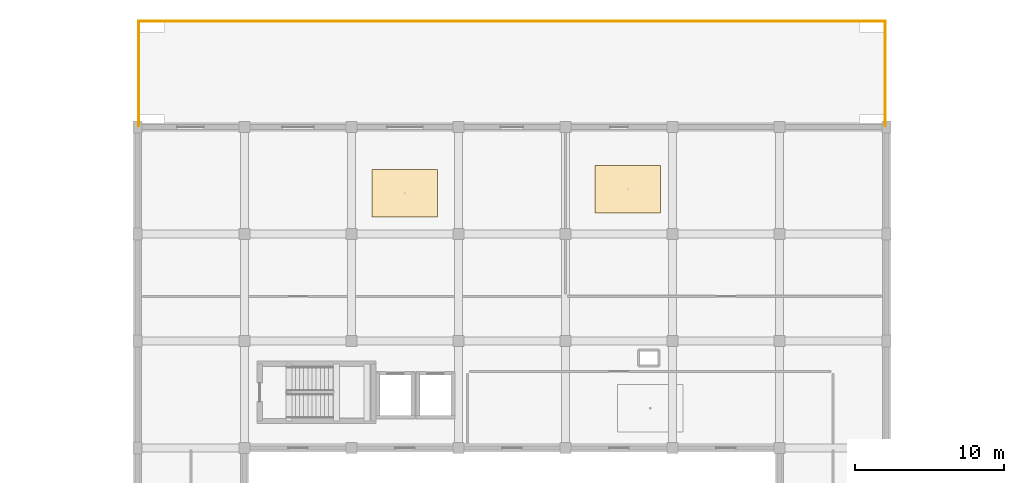
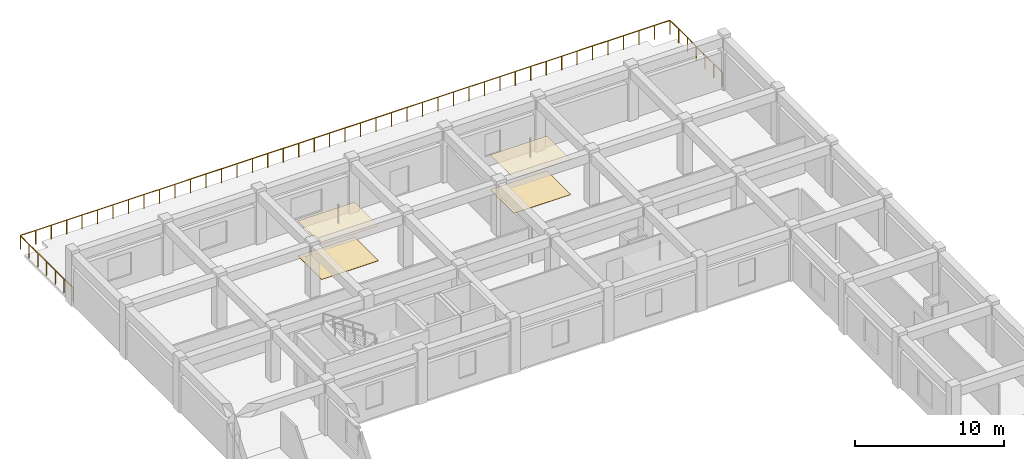
# One storey, part 56 of 56: 4 coverings, 3 railings.
"""IFC4 building model written with IfcOpenShell, lengths in metres."""

from ifc_helpers import new_model, si_unit, direction, frame, origin, origin_2d, place, context, subcontext, project, spatial, rectangle, circle, extrude, material, layer, layer_set, type_object, element, save


model = new_model("IFC4")

# Units and contexts
model_context = context("Model", 3, precision=1e-05, world=origin(), true_north=direction((0.0, 1.0)))
body_context = subcontext(model_context, "Body", "Model", "MODEL_VIEW")
ifc_project = project(units=[si_unit("LENGTHUNIT", "METRE"), si_unit("AREAUNIT", "SQUARE_METRE"), si_unit("VOLUMEUNIT", "CUBIC_METRE"), si_unit("PLANEANGLEUNIT", "RADIAN"), si_unit("MASSUNIT", "GRAM", prefix="KILO")], contexts=[model_context])

# Site, building, storey
site_placement = place(None, origin())
site = spatial("IfcSite", under=ifc_project, at=site_placement, CompositionType="ELEMENT")
building_placement = place(site_placement, origin())
building = spatial("IfcBuilding", under=site, at=building_placement, Name="Kazehaya Institute of Natural Sciences", CompositionType="ELEMENT")
storey_placement = place(building_placement, frame((0.0, 0.0, 24.300048828125)))
storey = spatial("IfcBuildingStorey", under=building, at=storey_placement, Name="L05", CompositionType="ELEMENT", Elevation=24.300048828125)

# Coverings
ifc_material_1 = material(Name="Mineral-fibre acoustic ceiling tile")
ifc_layer_1 = layer(ifc_material_1, 0.02490234375, Name="Mineral-fibre acoustic ceiling tile")
ifc_layer_set_1 = layer_set([ifc_layer_1], Name="Mineral-fibre acoustic ceiling tile")
covering_type_1 = type_object("IfcCoveringType", Name="COV-CEIL-AC", PredefinedType="CEILING", material=ifc_layer_set_1)
for number, where, z_axis, x_axis, name in (
    (1, (79.77978515625, 103.1484375, 2.847412109375), (0.0, 0.0, 1.0), (1.0, 0.0, 0.0), "L05 Quantum Simulation Laboratory ceiling 53"),
    (2, (94.796142578125, 103.40380859375, 2.847412109375), (0.0, 0.0, 1.0), (1.0, 0.0, 0.0), "L05 Seminar Room ceiling 54"),
):
    element("IfcCovering", number, at=place(storey_placement, frame(where, z_axis=z_axis, x_axis=x_axis)), inside=storey, type_object=covering_type_1, Name=name, PredefinedType="CEILING", context=body_context, shape_type="SweptSolid", body=[
        extrude(rectangle(XDim=4.39990234375, YDim=3.199951171875, at=origin_2d()), origin(), (0.0, 0.0, 1.0), 0.02490234375),
    ])
ifc_material_2 = material(Name="Polished Sawara stone terrazzo flooring", Category="masonry")
ifc_layer_2 = layer(ifc_material_2, 0.02001953125, Name="Polished Sawara stone terrazzo flooring", Category="masonry")
ifc_layer_set_2 = layer_set([ifc_layer_2], Name="Polished Sawara stone terrazzo flooring")
covering_type_2 = type_object("IfcCoveringType", Name="COV-FLR-TRZ", PredefinedType="FLOORING", material=ifc_layer_set_2)
for number, where, z_axis, x_axis, name in (
    (3, (79.77978515625, 103.1484375, 0.0), (0.0, 0.0, 1.0), (1.0, 0.0, 0.0), "L05 Quantum Simulation Laboratory finish flooring 53"),
    (4, (94.796142578125, 103.40380859375, 0.0), (0.0, 0.0, 1.0), (1.0, 0.0, 0.0), "L05 Seminar Room finish flooring 54"),
):
    element("IfcCovering", number, at=place(storey_placement, frame(where, z_axis=z_axis, x_axis=x_axis)), inside=storey, type_object=covering_type_2, Name=name, PredefinedType="FLOORING", context=body_context, shape_type="SweptSolid", body=[
        extrude(rectangle(XDim=4.39990234375, YDim=3.199951171875, at=origin_2d()), origin(), (0.0, 0.0, 1.0), 0.02001953125),
    ])

# Railings
ifc_material_3 = material(Name="Precast limestone and bronze balustrade", Category="masonry")
railing_type = type_object("IfcRailingType", Name="RL-GUARD-TER", PredefinedType="BALUSTRADE", material=ifc_material_3)
railing_1_placement = place(storey_placement, frame((112.1201171875, 114.719970703125, 0.0)))
element("IfcRailing", 5, at=railing_1_placement, inside=storey, type_object=railing_type, Name="L05 terrace balustrade GRD-L05-016", PredefinedType="BALUSTRADE", context=body_context, shape_type="SweptSolid", body=[
    extrude(circle(Radius=0.02392578125, at=origin_2d()), frame((0.0, 0.0, 1.1259765625), z_axis=(-1.0, 0.0, 0.0), x_axis=(0.0, -1.0, 0.0)), (0.0, 0.0, 1.0), 50.240234375),
    extrude(circle(Radius=0.02099609375, at=origin_2d()), origin(), (0.0, 0.0, 1.0), 1.101806640625),
    extrude(circle(Radius=0.02099609375, at=origin_2d()), frame((-1.1962890625, 0.0, 0.0)), (0.0, 0.0, 1.0), 1.101806640625),
    extrude(circle(Radius=0.02099609375, at=origin_2d()), frame((-2.392333984375, 0.0, 0.0)), (0.0, 0.0, 1.0), 1.101806640625),
    extrude(circle(Radius=0.02099609375, at=origin_2d()), frame((-3.588623046875, 0.0, 0.0)), (0.0, 0.0, 1.0), 1.101806640625),
    extrude(circle(Radius=0.02099609375, at=origin_2d()), frame((-4.78466796875, 0.0, 0.0)), (0.0, 0.0, 1.0), 1.101806640625),
    extrude(circle(Radius=0.02099609375, at=origin_2d()), frame((-5.98095703125, 0.0, 0.0)), (0.0, 0.0, 1.0), 1.101806640625),
    extrude(circle(Radius=0.02099609375, at=origin_2d()), frame((-7.17724609375, 0.0, 0.0)), (0.0, 0.0, 1.0), 1.101806640625),
    extrude(circle(Radius=0.02099609375, at=origin_2d()), frame((-8.373291015625, 0.0, 0.0)), (0.0, 0.0, 1.0), 1.101806640625),
    extrude(circle(Radius=0.02099609375, at=origin_2d()), frame((-9.569580078125, 0.0, 0.0)), (0.0, 0.0, 1.0), 1.101806640625),
    extrude(circle(Radius=0.02099609375, at=origin_2d()), frame((-10.765869140625, 0.0, 0.0)), (0.0, 0.0, 1.0), 1.101806640625),
    extrude(circle(Radius=0.02099609375, at=origin_2d()), frame((-11.9619140625, 0.0, 0.0)), (0.0, 0.0, 1.0), 1.101806640625),
    extrude(circle(Radius=0.02099609375, at=origin_2d()), frame((-13.158203125, 0.0, 0.0)), (0.0, 0.0, 1.0), 1.101806640625),
    extrude(circle(Radius=0.02099609375, at=origin_2d()), frame((-14.354248046875, 0.0, 0.0)), (0.0, 0.0, 1.0), 1.101806640625),
    extrude(circle(Radius=0.02099609375, at=origin_2d()), frame((-15.550537109375, 0.0, 0.0)), (0.0, 0.0, 1.0), 1.101806640625),
    extrude(circle(Radius=0.02099609375, at=origin_2d()), frame((-16.746826171875, 0.0, 0.0)), (0.0, 0.0, 1.0), 1.101806640625),
    extrude(circle(Radius=0.02099609375, at=origin_2d()), frame((-17.94287109375, 0.0, 0.0)), (0.0, 0.0, 1.0), 1.101806640625),
    extrude(circle(Radius=0.02099609375, at=origin_2d()), frame((-19.13916015625, 0.0, 0.0)), (0.0, 0.0, 1.0), 1.101806640625),
    extrude(circle(Radius=0.02099609375, at=origin_2d()), frame((-20.33544921875, 0.0, 0.0)), (0.0, 0.0, 1.0), 1.101806640625),
    extrude(circle(Radius=0.02099609375, at=origin_2d()), frame((-21.531494140625, 0.0, 0.0)), (0.0, 0.0, 1.0), 1.101806640625),
    extrude(circle(Radius=0.02099609375, at=origin_2d()), frame((-22.727783203125, 0.0, 0.0)), (0.0, 0.0, 1.0), 1.101806640625),
    extrude(circle(Radius=0.02099609375, at=origin_2d()), frame((-23.923828125, 0.0, 0.0)), (0.0, 0.0, 1.0), 1.101806640625),
    extrude(circle(Radius=0.02099609375, at=origin_2d()), frame((-25.1201171875, 0.0, 0.0)), (0.0, 0.0, 1.0), 1.101806640625),
    extrude(circle(Radius=0.02099609375, at=origin_2d()), frame((-26.31640625, 0.0, 0.0)), (0.0, 0.0, 1.0), 1.101806640625),
    extrude(circle(Radius=0.02099609375, at=origin_2d()), frame((-27.512451171875, 0.0, 0.0)), (0.0, 0.0, 1.0), 1.101806640625),
    extrude(circle(Radius=0.02099609375, at=origin_2d()), frame((-28.708740234375, 0.0, 0.0)), (0.0, 0.0, 1.0), 1.101806640625),
    extrude(circle(Radius=0.02099609375, at=origin_2d()), frame((-29.90478515625, 0.0, 0.0)), (0.0, 0.0, 1.0), 1.101806640625),
    extrude(circle(Radius=0.02099609375, at=origin_2d()), frame((-31.10107421875, 0.0, 0.0)), (0.0, 0.0, 1.0), 1.101806640625),
    extrude(circle(Radius=0.02099609375, at=origin_2d()), frame((-32.29736328125, 0.0, 0.0)), (0.0, 0.0, 1.0), 1.101806640625),
    extrude(circle(Radius=0.02099609375, at=origin_2d()), frame((-33.493408203125, 0.0, 0.0)), (0.0, 0.0, 1.0), 1.101806640625),
    extrude(circle(Radius=0.02099609375, at=origin_2d()), frame((-34.689697265625, 0.0, 0.0)), (0.0, 0.0, 1.0), 1.101806640625),
    extrude(circle(Radius=0.02099609375, at=origin_2d()), frame((-35.885986328125, 0.0, 0.0)), (0.0, 0.0, 1.0), 1.101806640625),
    extrude(circle(Radius=0.02099609375, at=origin_2d()), frame((-37.08203125, 0.0, 0.0)), (0.0, 0.0, 1.0), 1.101806640625),
    extrude(circle(Radius=0.02099609375, at=origin_2d()), frame((-38.2783203125, 0.0, 0.0)), (0.0, 0.0, 1.0), 1.101806640625),
    extrude(circle(Radius=0.02099609375, at=origin_2d()), frame((-39.474365234375, 0.0, 0.0)), (0.0, 0.0, 1.0), 1.101806640625),
    extrude(circle(Radius=0.02099609375, at=origin_2d()), frame((-40.670654296875, 0.0, 0.0)), (0.0, 0.0, 1.0), 1.101806640625),
    extrude(circle(Radius=0.02099609375, at=origin_2d()), frame((-41.866943359375, 0.0, 0.0)), (0.0, 0.0, 1.0), 1.101806640625),
    extrude(circle(Radius=0.02099609375, at=origin_2d()), frame((-43.06298828125, 0.0, 0.0)), (0.0, 0.0, 1.0), 1.101806640625),
    extrude(circle(Radius=0.02099609375, at=origin_2d()), frame((-44.25927734375, 0.0, 0.0)), (0.0, 0.0, 1.0), 1.101806640625),
    extrude(circle(Radius=0.02099609375, at=origin_2d()), frame((-45.45556640625, 0.0, 0.0)), (0.0, 0.0, 1.0), 1.101806640625),
    extrude(circle(Radius=0.02099609375, at=origin_2d()), frame((-46.651611328125, 0.0, 0.0)), (0.0, 0.0, 1.0), 1.101806640625),
    extrude(circle(Radius=0.02099609375, at=origin_2d()), frame((-47.847900390625, 0.0, 0.0)), (0.0, 0.0, 1.0), 1.101806640625),
    extrude(circle(Radius=0.02099609375, at=origin_2d()), frame((-49.0439453125, 0.0, 0.0)), (0.0, 0.0, 1.0), 1.101806640625),
    extrude(circle(Radius=0.02099609375, at=origin_2d()), frame((-50.240234375, 0.0, 0.0)), (0.0, 0.0, 1.0), 1.101806640625),
])
railing_2_placement = place(storey_placement, frame((61.8798828125, 114.719970703125, 0.0)))
element("IfcRailing", 6, at=railing_2_placement, inside=storey, type_object=railing_type, Name="L05 terrace balustrade GRD-L05-017", PredefinedType="BALUSTRADE", context=body_context, shape_type="SweptSolid", body=[
    extrude(circle(Radius=0.02392578125, at=origin_2d()), frame((0.0, 0.0, 1.1259765625), z_axis=(0.0, -1.0, 0.0), x_axis=(1.0, 0.0, 0.0)), (0.0, 0.0, 1.0), 7.0400390625),
    extrude(circle(Radius=0.02099609375, at=origin_2d()), origin(), (0.0, 0.0, 1.0), 1.101806640625),
    extrude(circle(Radius=0.02099609375, at=origin_2d()), frame((0.0, -1.17333984375, 0.0)), (0.0, 0.0, 1.0), 1.101806640625),
    extrude(circle(Radius=0.02099609375, at=origin_2d()), frame((0.0, -2.3466796875, 0.0)), (0.0, 0.0, 1.0), 1.101806640625),
    extrude(circle(Radius=0.02099609375, at=origin_2d()), frame((0.0, -3.52001953125, 0.0)), (0.0, 0.0, 1.0), 1.101806640625),
    extrude(circle(Radius=0.02099609375, at=origin_2d()), frame((0.0, -4.693359375, 0.0)), (0.0, 0.0, 1.0), 1.101806640625),
    extrude(circle(Radius=0.02099609375, at=origin_2d()), frame((0.0, -5.86669921875, 0.0)), (0.0, 0.0, 1.0), 1.101806640625),
    extrude(circle(Radius=0.02099609375, at=origin_2d()), frame((0.0, -7.0400390625, 0.0)), (0.0, 0.0, 1.0), 1.101806640625),
])
railing_3_placement = place(storey_placement, frame((112.1201171875, 107.679931640625, 0.0)))
element("IfcRailing", 7, at=railing_3_placement, inside=storey, type_object=railing_type, Name="L05 terrace balustrade GRD-L05-018", PredefinedType="BALUSTRADE", context=body_context, shape_type="SweptSolid", body=[
    extrude(circle(Radius=0.02392578125, at=origin_2d()), frame((0.0, 0.0, 1.1259765625), z_axis=(0.0, 1.0, 0.0), x_axis=(-1.0, 0.0, 0.0)), (0.0, 0.0, 1.0), 7.0400390625),
    extrude(circle(Radius=0.02099609375, at=origin_2d()), origin(), (0.0, 0.0, 1.0), 1.101806640625),
    extrude(circle(Radius=0.02099609375, at=origin_2d()), frame((0.0, 1.17333984375, 0.0)), (0.0, 0.0, 1.0), 1.101806640625),
    extrude(circle(Radius=0.02099609375, at=origin_2d()), frame((0.0, 2.3466796875, 0.0)), (0.0, 0.0, 1.0), 1.101806640625),
    extrude(circle(Radius=0.02099609375, at=origin_2d()), frame((0.0, 3.52001953125, 0.0)), (0.0, 0.0, 1.0), 1.101806640625),
    extrude(circle(Radius=0.02099609375, at=origin_2d()), frame((0.0, 4.693359375, 0.0)), (0.0, 0.0, 1.0), 1.101806640625),
    extrude(circle(Radius=0.02099609375, at=origin_2d()), frame((0.0, 5.86669921875, 0.0)), (0.0, 0.0, 1.0), 1.101806640625),
    extrude(circle(Radius=0.02099609375, at=origin_2d()), frame((0.0, 7.0400390625, 0.0)), (0.0, 0.0, 1.0), 1.101806640625),
])

save(model, "model.ifc")
